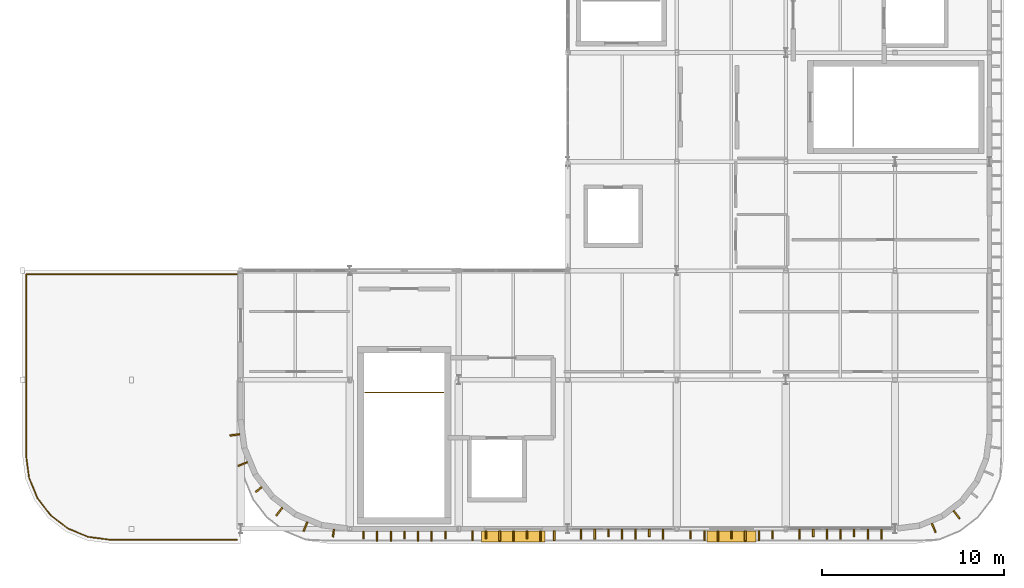
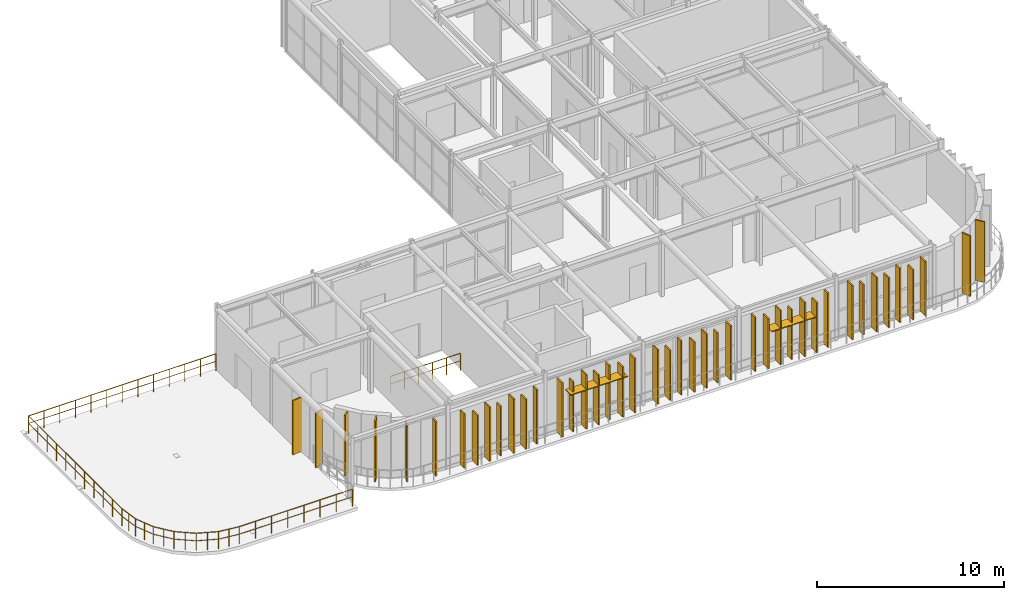
# One storey, part 12 of 14: 43 coverings, 10 railings, 2 shading devices.
"""IFC4 building model written with IfcOpenShell, lengths in metres."""

from ifc_helpers import new_model, si_unit, direction, frame, origin, origin_2d, place, context, subcontext, project, spatial, rectangle, circle, extrude, material, layer, layer_set, type_object, element, save


model = new_model("IFC4")

# Units and contexts
model_context = context("Model", 3, precision=1e-05, world=origin(), true_north=direction((0.0, 1.0)))
body_context = subcontext(model_context, "Body", "Model", "MODEL_VIEW")
ifc_project = project(units=[si_unit("LENGTHUNIT", "METRE"), si_unit("AREAUNIT", "SQUARE_METRE"), si_unit("VOLUMEUNIT", "CUBIC_METRE"), si_unit("PLANEANGLEUNIT", "RADIAN"), si_unit("MASSUNIT", "GRAM", prefix="KILO")], contexts=[model_context])

# Site, building, storey
site_placement = place(None, origin())
site = spatial("IfcSite", under=ifc_project, at=site_placement, CompositionType="ELEMENT")
building_placement = place(site_placement, origin())
building = spatial("IfcBuilding", under=site, at=building_placement, Name="Varnakota Square Police Headquarters", CompositionType="ELEMENT")
storey_placement = place(building_placement, frame((0.0, 0.0, 30.0)))
storey = spatial("IfcBuildingStorey", under=building, at=storey_placement, Name="L07", CompositionType="ELEMENT", Elevation=30.0)

# Coverings
ifc_material_1 = material(Name="White Anodised Aluminium Vertical Facade Blade 420", Category="aluminium")
ifc_layer_1 = layer(ifc_material_1, 0.0849609375, Name="White Anodised Aluminium Vertical Facade Blade 420")
ifc_layer_set_1 = layer_set([ifc_layer_1], Name="White Anodised Aluminium Vertical Facade Blade 420")
covering_type_1 = type_object("IfcCoveringType", Name="COV-FIN-420", PredefinedType="CLADDING", material=ifc_layer_set_1)
covering_1_placement = place(storey_placement, frame((126.762451171875, 0.455078125, 0.0400390625), z_axis=(0.0, 0.0, 1.0), x_axis=(1.0, 0.0, 0.0)))
element("IfcCovering", 1, at=covering_1_placement, inside=storey, type_object=covering_type_1, Name="Vertical aluminium facade fin FIN-0817", PredefinedType="CLADDING", context=body_context, shape_type="SweptSolid", body=[
    extrude(rectangle(XDim=0.0849609375, YDim=0.419921875, at=origin_2d()), origin(), (0.0, 0.0, 1.0), 3.543701171875),
])
covering_2_placement = place(storey_placement, frame((129.012451171875, 0.455078125, 0.0400390625), z_axis=(0.0, 0.0, 1.0), x_axis=(1.0, 0.0, 0.0)))
element("IfcCovering", 2, at=covering_2_placement, inside=storey, type_object=covering_type_1, Name="Vertical aluminium facade fin FIN-0820", PredefinedType="CLADDING", context=body_context, shape_type="SweptSolid", body=[
    extrude(rectangle(XDim=0.0849609375, YDim=0.419921875, at=origin_2d()), origin(), (0.0, 0.0, 1.0), 3.263671875),
])
covering_3_placement = place(storey_placement, frame((131.262451171875, 0.455078125, 0.0400390625), z_axis=(0.0, 0.0, 1.0), x_axis=(1.0, 0.0, 0.0)))
element("IfcCovering", 3, at=covering_3_placement, inside=storey, type_object=covering_type_1, Name="Vertical aluminium facade fin FIN-0823", PredefinedType="CLADDING", context=body_context, shape_type="SweptSolid", body=[
    extrude(rectangle(XDim=0.0849609375, YDim=0.419921875, at=origin_2d()), origin(), (0.0, 0.0, 1.0), 3.543701171875),
])
covering_4_placement = place(storey_placement, frame((133.5048828125, 0.47509765625, 0.0400390625), z_axis=(0.0, 0.0, 1.0), x_axis=(1.0, 0.0, 0.0)))
element("IfcCovering", 4, at=covering_4_placement, inside=storey, type_object=covering_type_1, Name="Vertical aluminium facade fin FIN-0825", PredefinedType="CLADDING", context=body_context, shape_type="SweptSolid", body=[
    extrude(rectangle(XDim=0.0849609375, YDim=0.419921875, at=origin_2d()), origin(), (0.0, 0.0, 1.0), 3.263671875),
])
for number, where, z_axis, x_axis, name in (
    (5, (135.7548828125, 0.47509765625, 0.0400390625), (0.0, 0.0, 1.0), (1.0, 0.0, 0.0), "Vertical aluminium facade fin FIN-0828"),
    (6, (140.232421875, 0.5625, 0.0400390625), (0.0, 0.0, 1.0), (1.0, 0.0, 0.0), "Vertical aluminium facade fin FIN-0833"),
):
    element("IfcCovering", number, at=place(storey_placement, frame(where, z_axis=z_axis, x_axis=x_axis)), inside=storey, type_object=covering_type_1, Name=name, PredefinedType="CLADDING", context=body_context, shape_type="SweptSolid", body=[
        extrude(rectangle(XDim=0.0849609375, YDim=0.419921875, at=origin_2d()), origin(), (0.0, 0.0, 1.0), 3.543701171875),
    ])
covering_5_placement = place(storey_placement, frame((142.482421875, 0.5625, 0.0400390625), z_axis=(0.0, 0.0, 1.0), x_axis=(1.0, 0.0, 0.0)))
element("IfcCovering", 7, at=covering_5_placement, inside=storey, type_object=covering_type_1, Name="Vertical aluminium facade fin FIN-0836", PredefinedType="CLADDING", context=body_context, shape_type="SweptSolid", body=[
    extrude(rectangle(XDim=0.0849609375, YDim=0.419921875, at=origin_2d()), origin(), (0.0, 0.0, 1.0), 3.263671875),
])
covering_6_placement = place(storey_placement, frame((144.762451171875, 0.47509765625, 0.0400390625), z_axis=(0.0, 0.0, 1.0), x_axis=(1.0, 0.0, 0.0)))
element("IfcCovering", 8, at=covering_6_placement, inside=storey, type_object=covering_type_1, Name="Vertical aluminium facade fin FIN-0838", PredefinedType="CLADDING", context=body_context, shape_type="SweptSolid", body=[
    extrude(rectangle(XDim=0.0849609375, YDim=0.419921875, at=origin_2d()), origin(), (0.0, 0.0, 1.0), 3.543701171875),
])
covering_7_placement = place(storey_placement, frame((147.012451171875, 0.47509765625, 0.0400390625), z_axis=(0.0, 0.0, 1.0), x_axis=(1.0, 0.0, 0.0)))
element("IfcCovering", 9, at=covering_7_placement, inside=storey, type_object=covering_type_1, Name="Vertical aluminium facade fin FIN-0841", PredefinedType="CLADDING", context=body_context, shape_type="SweptSolid", body=[
    extrude(rectangle(XDim=0.0849609375, YDim=0.419921875, at=origin_2d()), origin(), (0.0, 0.0, 1.0), 3.263671875),
])
covering_8_placement = place(storey_placement, frame((149.262451171875, 0.47509765625, 0.0400390625), z_axis=(0.0, 0.0, 1.0), x_axis=(1.0, 0.0, 0.0)))
element("IfcCovering", 10, at=covering_8_placement, inside=storey, type_object=covering_type_1, Name="Vertical aluminium facade fin FIN-0844", PredefinedType="CLADDING", context=body_context, shape_type="SweptSolid", body=[
    extrude(rectangle(XDim=0.0849609375, YDim=0.419921875, at=origin_2d()), origin(), (0.0, 0.0, 1.0), 3.543701171875),
])
covering_9_placement = place(storey_placement, frame((151.5048828125, 0.5625, 0.0400390625), z_axis=(0.0, 0.0, 1.0), x_axis=(1.0, 0.0, 0.0)))
element("IfcCovering", 11, at=covering_9_placement, inside=storey, type_object=covering_type_1, Name="Vertical aluminium facade fin FIN-0846", PredefinedType="CLADDING", context=body_context, shape_type="SweptSolid", body=[
    extrude(rectangle(XDim=0.0849609375, YDim=0.419921875, at=origin_2d()), origin(), (0.0, 0.0, 1.0), 3.263671875),
])
covering_10_placement = place(storey_placement, frame((153.7548828125, 0.5625, 0.0400390625), z_axis=(0.0, 0.0, 1.0), x_axis=(1.0, 0.0, 0.0)))
element("IfcCovering", 12, at=covering_10_placement, inside=storey, type_object=covering_type_1, Name="Vertical aluminium facade fin FIN-0849", PredefinedType="CLADDING", context=body_context, shape_type="SweptSolid", body=[
    extrude(rectangle(XDim=0.0849609375, YDim=0.419921875, at=origin_2d()), origin(), (0.0, 0.0, 1.0), 3.543701171875),
])
covering_11_placement = place(storey_placement, frame((120.9990234375, 2.962646484375, 0.0400390625), z_axis=(0.0, 0.0, 1.0), x_axis=(0.608761429009, -0.793353340291, 0.0)))
element("IfcCovering", 13, at=covering_11_placement, inside=storey, type_object=covering_type_1, Name="Vertical aluminium facade fin FIN-0886", PredefinedType="CLADDING", context=body_context, shape_type="SweptSolid", body=[
    extrude(rectangle(XDim=0.0849609375, YDim=0.419921875, at=origin_2d()), origin(), (0.0, 0.0, 1.0), 3.955078125),
])
covering_12_placement = place(storey_placement, frame((125.105712890625, 0.5595703125, 0.0400390625), z_axis=(0.0, 0.0, 1.0), x_axis=(0.991444861374, -0.13052619222, 0.0)))
element("IfcCovering", 14, at=covering_12_placement, inside=storey, type_object=covering_type_1, Name="Vertical aluminium facade fin FIN-0889", PredefinedType="CLADDING", context=body_context, shape_type="SweptSolid", body=[
    extrude(rectangle(XDim=0.0849609375, YDim=0.419921875, at=origin_2d()), origin(), (0.0, 0.0, 1.0), 3.543701171875),
])
ifc_material_2 = material(Name="White Anodised Aluminium Vertical Facade Blade 550", Category="aluminium")
ifc_layer_2 = layer(ifc_material_2, 0.0849609375, Name="White Anodised Aluminium Vertical Facade Blade 550")
ifc_layer_set_2 = layer_set([ifc_layer_2], Name="White Anodised Aluminium Vertical Facade Blade 550")
covering_type_2 = type_object("IfcCoveringType", Name="COV-FIN-550", PredefinedType="CLADDING", material=ifc_layer_set_2)
covering_13_placement = place(storey_placement, frame((127.512451171875, 0.389892578125, 0.0400390625), z_axis=(0.0, 0.0, 1.0), x_axis=(1.0, 0.0, 0.0)))
element("IfcCovering", 15, at=covering_13_placement, inside=storey, type_object=covering_type_2, Name="Vertical aluminium facade fin FIN-0818", PredefinedType="CLADDING", context=body_context, shape_type="SweptSolid", body=[
    extrude(rectangle(XDim=0.0849609375, YDim=0.550048828125, at=origin_2d()), origin(), (0.0, 0.0, 1.0), 3.263671875),
])
for number, where, z_axis, x_axis, name in (
    (16, (128.262451171875, 0.389892578125, 0.0400390625), (0.0, 0.0, 1.0), (1.0, 0.0, 0.0), "Vertical aluminium facade fin FIN-0819"),
    (17, (129.762451171875, 0.389892578125, 0.0400390625), (0.0, 0.0, 1.0), (1.0, 0.0, 0.0), "Vertical aluminium facade fin FIN-0821"),
):
    element("IfcCovering", number, at=place(storey_placement, frame(where, z_axis=z_axis, x_axis=x_axis)), inside=storey, type_object=covering_type_2, Name=name, PredefinedType="CLADDING", context=body_context, shape_type="SweptSolid", body=[
        extrude(rectangle(XDim=0.0849609375, YDim=0.550048828125, at=origin_2d()), origin(), (0.0, 0.0, 1.0), 3.543701171875),
    ])
covering_14_placement = place(storey_placement, frame((130.512451171875, 0.389892578125, 0.0400390625), z_axis=(0.0, 0.0, 1.0), x_axis=(1.0, 0.0, 0.0)))
element("IfcCovering", 18, at=covering_14_placement, inside=storey, type_object=covering_type_2, Name="Vertical aluminium facade fin FIN-0822", PredefinedType="CLADDING", context=body_context, shape_type="SweptSolid", body=[
    extrude(rectangle(XDim=0.0849609375, YDim=0.550048828125, at=origin_2d()), origin(), (0.0, 0.0, 1.0), 3.263671875),
])
for number, where, z_axis, x_axis, name in (
    (19, (132.7548828125, 0.409912109375, 0.0400390625), (0.0, 0.0, 1.0), (1.0, 0.0, 0.0), "Vertical aluminium facade fin FIN-0824"),
    (20, (134.2548828125, 0.409912109375, 0.0400390625), (0.0, 0.0, 1.0), (1.0, 0.0, 0.0), "Vertical aluminium facade fin FIN-0826"),
):
    element("IfcCovering", number, at=place(storey_placement, frame(where, z_axis=z_axis, x_axis=x_axis)), inside=storey, type_object=covering_type_2, Name=name, PredefinedType="CLADDING", context=body_context, shape_type="SweptSolid", body=[
        extrude(rectangle(XDim=0.0849609375, YDim=0.550048828125, at=origin_2d()), origin(), (0.0, 0.0, 1.0), 3.543701171875),
    ])
for number, where, z_axis, x_axis, name in (
    (21, (135.0048828125, 0.409912109375, 0.0400390625), (0.0, 0.0, 1.0), (1.0, 0.0, 0.0), "Vertical aluminium facade fin FIN-0827"),
    (22, (136.5048828125, 0.409912109375, 0.0400390625), (0.0, 0.0, 1.0), (1.0, 0.0, 0.0), "Vertical aluminium facade fin FIN-0829"),
):
    element("IfcCovering", number, at=place(storey_placement, frame(where, z_axis=z_axis, x_axis=x_axis)), inside=storey, type_object=covering_type_2, Name=name, PredefinedType="CLADDING", context=body_context, shape_type="SweptSolid", body=[
        extrude(rectangle(XDim=0.0849609375, YDim=0.550048828125, at=origin_2d()), origin(), (0.0, 0.0, 1.0), 3.263671875),
    ])
for number, where, z_axis, x_axis, name in (
    (23, (137.2548828125, 0.409912109375, 0.0400390625), (0.0, 0.0, 1.0), (1.0, 0.0, 0.0), "Vertical aluminium facade fin FIN-0830"),
    (24, (138.732421875, 0.49755859375, 0.0400390625), (0.0, 0.0, 1.0), (1.0, 0.0, 0.0), "Vertical aluminium facade fin FIN-0831"),
):
    element("IfcCovering", number, at=place(storey_placement, frame(where, z_axis=z_axis, x_axis=x_axis)), inside=storey, type_object=covering_type_2, Name=name, PredefinedType="CLADDING", context=body_context, shape_type="SweptSolid", body=[
        extrude(rectangle(XDim=0.0849609375, YDim=0.550048828125, at=origin_2d()), origin(), (0.0, 0.0, 1.0), 3.543701171875),
    ])
for number, where, z_axis, x_axis, name in (
    (25, (139.482421875, 0.49755859375, 0.0400390625), (0.0, 0.0, 1.0), (1.0, 0.0, 0.0), "Vertical aluminium facade fin FIN-0832"),
    (26, (140.982421875, 0.49755859375, 0.0400390625), (0.0, 0.0, 1.0), (1.0, 0.0, 0.0), "Vertical aluminium facade fin FIN-0834"),
):
    element("IfcCovering", number, at=place(storey_placement, frame(where, z_axis=z_axis, x_axis=x_axis)), inside=storey, type_object=covering_type_2, Name=name, PredefinedType="CLADDING", context=body_context, shape_type="SweptSolid", body=[
        extrude(rectangle(XDim=0.0849609375, YDim=0.550048828125, at=origin_2d()), origin(), (0.0, 0.0, 1.0), 3.263671875),
    ])
for number, where, z_axis, x_axis, name in (
    (27, (141.732421875, 0.49755859375, 0.0400390625), (0.0, 0.0, 1.0), (1.0, 0.0, 0.0), "Vertical aluminium facade fin FIN-0835"),
    (28, (143.232421875, 0.49755859375, 0.0400390625), (0.0, 0.0, 1.0), (1.0, 0.0, 0.0), "Vertical aluminium facade fin FIN-0837"),
):
    element("IfcCovering", number, at=place(storey_placement, frame(where, z_axis=z_axis, x_axis=x_axis)), inside=storey, type_object=covering_type_2, Name=name, PredefinedType="CLADDING", context=body_context, shape_type="SweptSolid", body=[
        extrude(rectangle(XDim=0.0849609375, YDim=0.550048828125, at=origin_2d()), origin(), (0.0, 0.0, 1.0), 3.543701171875),
    ])
covering_15_placement = place(storey_placement, frame((145.512451171875, 0.409912109375, 0.0400390625), z_axis=(0.0, 0.0, 1.0), x_axis=(1.0, 0.0, 0.0)))
element("IfcCovering", 29, at=covering_15_placement, inside=storey, type_object=covering_type_2, Name="Vertical aluminium facade fin FIN-0839", PredefinedType="CLADDING", context=body_context, shape_type="SweptSolid", body=[
    extrude(rectangle(XDim=0.0849609375, YDim=0.550048828125, at=origin_2d()), origin(), (0.0, 0.0, 1.0), 3.263671875),
])
for number, where, z_axis, x_axis, name in (
    (30, (146.262451171875, 0.409912109375, 0.0400390625), (0.0, 0.0, 1.0), (1.0, 0.0, 0.0), "Vertical aluminium facade fin FIN-0840"),
    (31, (147.762451171875, 0.409912109375, 0.0400390625), (0.0, 0.0, 1.0), (1.0, 0.0, 0.0), "Vertical aluminium facade fin FIN-0842"),
):
    element("IfcCovering", number, at=place(storey_placement, frame(where, z_axis=z_axis, x_axis=x_axis)), inside=storey, type_object=covering_type_2, Name=name, PredefinedType="CLADDING", context=body_context, shape_type="SweptSolid", body=[
        extrude(rectangle(XDim=0.0849609375, YDim=0.550048828125, at=origin_2d()), origin(), (0.0, 0.0, 1.0), 3.543701171875),
    ])
covering_16_placement = place(storey_placement, frame((148.512451171875, 0.409912109375, 0.0400390625), z_axis=(0.0, 0.0, 1.0), x_axis=(1.0, 0.0, 0.0)))
element("IfcCovering", 32, at=covering_16_placement, inside=storey, type_object=covering_type_2, Name="Vertical aluminium facade fin FIN-0843", PredefinedType="CLADDING", context=body_context, shape_type="SweptSolid", body=[
    extrude(rectangle(XDim=0.0849609375, YDim=0.550048828125, at=origin_2d()), origin(), (0.0, 0.0, 1.0), 3.263671875),
])
for number, where, z_axis, x_axis, name in (
    (33, (150.7548828125, 0.49755859375, 0.0400390625), (0.0, 0.0, 1.0), (1.0, 0.0, 0.0), "Vertical aluminium facade fin FIN-0845"),
    (34, (152.2548828125, 0.49755859375, 0.0400390625), (0.0, 0.0, 1.0), (1.0, 0.0, 0.0), "Vertical aluminium facade fin FIN-0847"),
):
    element("IfcCovering", number, at=place(storey_placement, frame(where, z_axis=z_axis, x_axis=x_axis)), inside=storey, type_object=covering_type_2, Name=name, PredefinedType="CLADDING", context=body_context, shape_type="SweptSolid", body=[
        extrude(rectangle(XDim=0.0849609375, YDim=0.550048828125, at=origin_2d()), origin(), (0.0, 0.0, 1.0), 3.543701171875),
    ])
for number, where, z_axis, x_axis, name in (
    (35, (153.0048828125, 0.49755859375, 0.0400390625), (0.0, 0.0, 1.0), (1.0, 0.0, 0.0), "Vertical aluminium facade fin FIN-0848"),
    (36, (154.5048828125, 0.49755859375, 0.0400390625), (0.0, 0.0, 1.0), (1.0, 0.0, 0.0), "Vertical aluminium facade fin FIN-0850"),
):
    element("IfcCovering", number, at=place(storey_placement, frame(where, z_axis=z_axis, x_axis=x_axis)), inside=storey, type_object=covering_type_2, Name=name, PredefinedType="CLADDING", context=body_context, shape_type="SweptSolid", body=[
        extrude(rectangle(XDim=0.0849609375, YDim=0.550048828125, at=origin_2d()), origin(), (0.0, 0.0, 1.0), 3.263671875),
    ])
for number, where, z_axis, x_axis, name in (
    (37, (155.2548828125, 0.49755859375, 0.0400390625), (0.0, 0.0, 1.0), (1.0, 0.0, 0.0), "Vertical aluminium facade fin FIN-0851"),
    (38, (119.685791015625, 5.96875, 0.0400390625), (0.0, 0.0, 1.0), (0.13052619222, -0.991444861374, 0.0), "Vertical aluminium facade fin FIN-0884"),
    (39, (120.1162109375, 4.36279296875, 0.0400390625), (0.0, 0.0, 1.0), (0.382683432365, -0.923879532511, 0.0), "Vertical aluminium facade fin FIN-0885"),
):
    element("IfcCovering", number, at=place(storey_placement, frame(where, z_axis=z_axis, x_axis=x_axis)), inside=storey, type_object=covering_type_2, Name=name, PredefinedType="CLADDING", context=body_context, shape_type="SweptSolid", body=[
        extrude(rectangle(XDim=0.0849609375, YDim=0.550048828125, at=origin_2d()), origin(), (0.0, 0.0, 1.0), 3.543701171875),
    ])
covering_17_placement = place(storey_placement, frame((122.123046875, 1.747314453125, 0.0400390625), z_axis=(0.0, 0.0, 1.0), x_axis=(0.793353340291, -0.608761429009, 0.0)))
element("IfcCovering", 40, at=covering_17_placement, inside=storey, type_object=covering_type_2, Name="Vertical aluminium facade fin FIN-0887", PredefinedType="CLADDING", context=body_context, shape_type="SweptSolid", body=[
    extrude(rectangle(XDim=0.0849609375, YDim=0.550048828125, at=origin_2d()), origin(), (0.0, 0.0, 1.0), 3.955078125),
])
covering_18_placement = place(storey_placement, frame((123.562744140625, 0.916015625, 0.0400390625), z_axis=(0.0, 0.0, 1.0), x_axis=(0.923879532511, -0.382683432365, 0.0)))
element("IfcCovering", 41, at=covering_18_placement, inside=storey, type_object=covering_type_2, Name="Vertical aluminium facade fin FIN-0888", PredefinedType="CLADDING", context=body_context, shape_type="SweptSolid", body=[
    extrude(rectangle(XDim=0.0849609375, YDim=0.550048828125, at=origin_2d()), origin(), (0.0, 0.0, 1.0), 3.64990234375),
])
for number, where, z_axis, x_axis, name in (
    (42, (158.1337890625, 0.848876953125, 0.0400390625), (0.0, 0.0, 1.0), (0.923879532511, 0.382683432365, 0.0), "Vertical aluminium facade fin FIN-0890"),
    (43, (159.394287109375, 1.57666015625, 0.0400390625), (0.0, 0.0, 1.0), (0.793353340291, 0.608761429009, 0.0), "Vertical aluminium facade fin FIN-0891"),
):
    element("IfcCovering", number, at=place(storey_placement, frame(where, z_axis=z_axis, x_axis=x_axis)), inside=storey, type_object=covering_type_2, Name=name, PredefinedType="CLADDING", context=body_context, shape_type="SweptSolid", body=[
        extrude(rectangle(XDim=0.0849609375, YDim=0.550048828125, at=origin_2d()), origin(), (0.0, 0.0, 1.0), 3.955078125),
    ])

# Railings
ifc_material_3 = material(Name="Galvanised Powder-Coated Steel Guardrail", Category="steel")
railing_type_1 = type_object("IfcRailingType", Name="RL-BAL-1150", PredefinedType="BALUSTRADE", material=ifc_material_3)
railing_1_placement = place(storey_placement, frame((108.199951171875, 4.800048828125, 0.0)))
element("IfcRailing", 44, at=railing_1_placement, inside=storey, type_object=railing_type_1, Name="Executive terrace balustrade GD-L07-014", PredefinedType="BALUSTRADE", context=body_context, shape_type="SweptSolid", body=[
    extrude(circle(Radius=0.02392578125, at=origin_2d()), frame((0.0, 0.0, 1.1259765625), z_axis=(0.130512358051, -0.991446682579, 0.0), x_axis=(0.991446682579, 0.130512358051, 0.0)), (0.0, 0.0, 1.0), 1.200927734375),
    extrude(circle(Radius=0.01806640625, at=origin_2d()), frame((0.0, 0.0, 0.63232421875), z_axis=(0.130512358051, -0.991446682579, 0.0), x_axis=(0.991446682579, 0.130512358051, 0.0)), (0.0, 0.0, 1.0), 1.200927734375),
    extrude(circle(Radius=0.02099609375, at=origin_2d()), origin(), (0.0, 0.0, 1.0), 1.101806640625),
    extrude(circle(Radius=0.02099609375, at=origin_2d()), frame((0.078369140625, -0.59521484375, 0.0)), (0.0, 0.0, 1.0), 1.101806640625),
    extrude(circle(Radius=0.02099609375, at=origin_2d()), frame((0.15673828125, -1.190673828125, 0.0)), (0.0, 0.0, 1.0), 1.101806640625),
])
railing_2_placement = place(storey_placement, frame((108.356689453125, 3.609375, 0.0)))
element("IfcRailing", 45, at=railing_2_placement, inside=storey, type_object=railing_type_1, Name="Executive terrace balustrade GD-L07-015", PredefinedType="BALUSTRADE", context=body_context, shape_type="SweptSolid", body=[
    extrude(circle(Radius=0.02392578125, at=origin_2d()), frame((0.0, 0.0, 1.1259765625), z_axis=(0.382824608984, -0.923821042603, 0.0), x_axis=(0.923821042603, 0.382824608984, 0.0)), (0.0, 0.0, 1.0), 1.200927734375),
    extrude(circle(Radius=0.01806640625, at=origin_2d()), frame((0.0, 0.0, 0.63232421875), z_axis=(0.382824608984, -0.923821042603, 0.0), x_axis=(0.923821042603, 0.382824608984, 0.0)), (0.0, 0.0, 1.0), 1.200927734375),
    extrude(circle(Radius=0.02099609375, at=origin_2d()), origin(), (0.0, 0.0, 1.0), 1.101806640625),
    extrude(circle(Radius=0.02099609375, at=origin_2d()), frame((0.22998046875, -0.5546875, 0.0)), (0.0, 0.0, 1.0), 1.101806640625),
    extrude(circle(Radius=0.02099609375, at=origin_2d()), frame((0.459716796875, -1.109375, 0.0)), (0.0, 0.0, 1.0), 1.101806640625),
])
railing_3_placement = place(storey_placement, frame((108.81640625, 2.5, 0.0)))
element("IfcRailing", 46, at=railing_3_placement, inside=storey, type_object=railing_type_1, Name="Executive terrace balustrade GD-L07-016", PredefinedType="BALUSTRADE", context=body_context, shape_type="SweptSolid", body=[
    extrude(circle(Radius=0.02392578125, at=origin_2d()), frame((0.0, 0.0, 1.1259765625), z_axis=(0.608747363764, -0.793364132735, 0.0), x_axis=(0.793364132735, 0.608747363764, 0.0)), (0.0, 0.0, 1.0), 1.20068359375),
    extrude(circle(Radius=0.01806640625, at=origin_2d()), frame((0.0, 0.0, 0.63232421875), z_axis=(0.608747363764, -0.793364132735, 0.0), x_axis=(0.793364132735, 0.608747363764, 0.0)), (0.0, 0.0, 1.0), 1.20068359375),
    extrude(circle(Radius=0.02099609375, at=origin_2d()), origin(), (0.0, 0.0, 1.0), 1.101806640625),
    extrude(circle(Radius=0.02099609375, at=origin_2d()), frame((0.365478515625, -0.476318359375, 0.0)), (0.0, 0.0, 1.0), 1.101806640625),
    extrude(circle(Radius=0.02099609375, at=origin_2d()), frame((0.73095703125, -0.95263671875, 0.0)), (0.0, 0.0, 1.0), 1.101806640625),
])
railing_4_placement = place(storey_placement, frame((109.54736328125, 1.54736328125, 0.0)))
element("IfcRailing", 47, at=railing_4_placement, inside=storey, type_object=railing_type_1, Name="Executive terrace balustrade GD-L07-017", PredefinedType="BALUSTRADE", context=body_context, shape_type="SweptSolid", body=[
    extrude(circle(Radius=0.02392578125, at=origin_2d()), frame((0.0, 0.0, 1.1259765625), z_axis=(0.793364132735, -0.608747363764, 0.0), x_axis=(0.608747363764, 0.793364132735, 0.0)), (0.0, 0.0, 1.0), 1.20068359375),
    extrude(circle(Radius=0.01806640625, at=origin_2d()), frame((0.0, 0.0, 0.63232421875), z_axis=(0.793364132735, -0.608747363764, 0.0), x_axis=(0.608747363764, 0.793364132735, 0.0)), (0.0, 0.0, 1.0), 1.20068359375),
    extrude(circle(Radius=0.02099609375, at=origin_2d()), origin(), (0.0, 0.0, 1.0), 1.101806640625),
    extrude(circle(Radius=0.02099609375, at=origin_2d()), frame((0.476318359375, -0.365478515625, 0.0)), (0.0, 0.0, 1.0), 1.101806640625),
    extrude(circle(Radius=0.02099609375, at=origin_2d()), frame((0.95263671875, -0.73095703125, 0.0)), (0.0, 0.0, 1.0), 1.101806640625),
])
railing_5_placement = place(storey_placement, frame((110.5, 0.81640625, 0.0)))
element("IfcRailing", 48, at=railing_5_placement, inside=storey, type_object=railing_type_1, Name="Executive terrace balustrade GD-L07-018", PredefinedType="BALUSTRADE", context=body_context, shape_type="SweptSolid", body=[
    extrude(circle(Radius=0.02392578125, at=origin_2d()), frame((0.0, 0.0, 1.1259765625), z_axis=(0.923821042603, -0.382824608984, 0.0), x_axis=(0.382824608984, 0.923821042603, 0.0)), (0.0, 0.0, 1.0), 1.200927734375),
    extrude(circle(Radius=0.01806640625, at=origin_2d()), frame((0.0, 0.0, 0.63232421875), z_axis=(0.923821042603, -0.382824608984, 0.0), x_axis=(0.382824608984, 0.923821042603, 0.0)), (0.0, 0.0, 1.0), 1.200927734375),
    extrude(circle(Radius=0.02099609375, at=origin_2d()), origin(), (0.0, 0.0, 1.0), 1.101806640625),
    extrude(circle(Radius=0.02099609375, at=origin_2d()), frame((0.5546875, -0.22998046875, 0.0)), (0.0, 0.0, 1.0), 1.101806640625),
    extrude(circle(Radius=0.02099609375, at=origin_2d()), frame((1.109375, -0.459716796875, 0.0)), (0.0, 0.0, 1.0), 1.101806640625),
])
railing_6_placement = place(storey_placement, frame((111.609375, 0.356689453125, 0.0)))
element("IfcRailing", 49, at=railing_6_placement, inside=storey, type_object=railing_type_1, Name="Executive terrace balustrade GD-L07-019", PredefinedType="BALUSTRADE", context=body_context, shape_type="SweptSolid", body=[
    extrude(circle(Radius=0.02392578125, at=origin_2d()), frame((0.0, 0.0, 1.1259765625), z_axis=(0.991446682579, -0.130512358051, 0.0), x_axis=(0.130512358051, 0.991446682579, 0.0)), (0.0, 0.0, 1.0), 1.200927734375),
    extrude(circle(Radius=0.01806640625, at=origin_2d()), frame((0.0, 0.0, 0.63232421875), z_axis=(0.991446682579, -0.130512358051, 0.0), x_axis=(0.130512358051, 0.991446682579, 0.0)), (0.0, 0.0, 1.0), 1.200927734375),
    extrude(circle(Radius=0.02099609375, at=origin_2d()), origin(), (0.0, 0.0, 1.0), 1.101806640625),
    extrude(circle(Radius=0.02099609375, at=origin_2d()), frame((0.59521484375, -0.078369140625, 0.0)), (0.0, 0.0, 1.0), 1.101806640625),
    extrude(circle(Radius=0.02099609375, at=origin_2d()), frame((1.190673828125, -0.15673828125, 0.0)), (0.0, 0.0, 1.0), 1.101806640625),
])
railing_7_placement = place(storey_placement, frame((112.800048828125, 0.199951171875, 0.0)))
element("IfcRailing", 50, at=railing_7_placement, inside=storey, type_object=railing_type_1, Name="Executive terrace balustrade GD-L07-020", PredefinedType="BALUSTRADE", context=body_context, shape_type="SweptSolid", body=[
    extrude(circle(Radius=0.02392578125, at=origin_2d()), frame((0.0, 0.0, 1.1259765625), z_axis=(1.0, 0.0, 0.0), x_axis=(0.0, 1.0, 0.0)), (0.0, 0.0, 1.0), 7.0),
    extrude(circle(Radius=0.01806640625, at=origin_2d()), frame((0.0, 0.0, 0.63232421875), z_axis=(1.0, 0.0, 0.0), x_axis=(0.0, 1.0, 0.0)), (0.0, 0.0, 1.0), 7.0),
    extrude(circle(Radius=0.02099609375, at=origin_2d()), origin(), (0.0, 0.0, 1.0), 1.101806640625),
    extrude(circle(Radius=0.02099609375, at=origin_2d()), frame((1.0, 0.0, 0.0)), (0.0, 0.0, 1.0), 1.101806640625),
    extrude(circle(Radius=0.02099609375, at=origin_2d()), frame((2.0, 0.0, 0.0)), (0.0, 0.0, 1.0), 1.101806640625),
    extrude(circle(Radius=0.02099609375, at=origin_2d()), frame((3.0, 0.0, 0.0)), (0.0, 0.0, 1.0), 1.101806640625),
    extrude(circle(Radius=0.02099609375, at=origin_2d()), frame((4.0, 0.0, 0.0)), (0.0, 0.0, 1.0), 1.101806640625),
    extrude(circle(Radius=0.02099609375, at=origin_2d()), frame((5.0, 0.0, 0.0)), (0.0, 0.0, 1.0), 1.101806640625),
    extrude(circle(Radius=0.02099609375, at=origin_2d()), frame((6.0, 0.0, 0.0)), (0.0, 0.0, 1.0), 1.101806640625),
    extrude(circle(Radius=0.02099609375, at=origin_2d()), frame((7.0, 0.0, 0.0)), (0.0, 0.0, 1.0), 1.101806640625),
])
railing_8_placement = place(storey_placement, frame((119.800048828125, 14.800048828125, 0.0)))
element("IfcRailing", 51, at=railing_8_placement, inside=storey, type_object=railing_type_1, Name="Executive terrace balustrade GD-L07-021", PredefinedType="BALUSTRADE", context=body_context, shape_type="SweptSolid", body=[
    extrude(circle(Radius=0.02392578125, at=origin_2d()), frame((0.0, 0.0, 1.1259765625), z_axis=(-1.0, 0.0, 0.0), x_axis=(0.0, -1.0, 0.0)), (0.0, 0.0, 1.0), 11.60009765625),
    extrude(circle(Radius=0.01806640625, at=origin_2d()), frame((0.0, 0.0, 0.63232421875), z_axis=(-1.0, 0.0, 0.0), x_axis=(0.0, -1.0, 0.0)), (0.0, 0.0, 1.0), 11.60009765625),
    extrude(circle(Radius=0.02099609375, at=origin_2d()), origin(), (0.0, 0.0, 1.0), 1.101806640625),
    extrude(circle(Radius=0.02099609375, at=origin_2d()), frame((-0.966796875, 0.0, 0.0)), (0.0, 0.0, 1.0), 1.101806640625),
    extrude(circle(Radius=0.02099609375, at=origin_2d()), frame((-1.933349609375, 0.0, 0.0)), (0.0, 0.0, 1.0), 1.101806640625),
    extrude(circle(Radius=0.02099609375, at=origin_2d()), frame((-2.89990234375, 0.0, 0.0)), (0.0, 0.0, 1.0), 1.101806640625),
    extrude(circle(Radius=0.02099609375, at=origin_2d()), frame((-3.86669921875, 0.0, 0.0)), (0.0, 0.0, 1.0), 1.101806640625),
    extrude(circle(Radius=0.02099609375, at=origin_2d()), frame((-4.83349609375, 0.0, 0.0)), (0.0, 0.0, 1.0), 1.101806640625),
    extrude(circle(Radius=0.02099609375, at=origin_2d()), frame((-5.800048828125, 0.0, 0.0)), (0.0, 0.0, 1.0), 1.101806640625),
    extrude(circle(Radius=0.02099609375, at=origin_2d()), frame((-6.7666015625, 0.0, 0.0)), (0.0, 0.0, 1.0), 1.101806640625),
    extrude(circle(Radius=0.02099609375, at=origin_2d()), frame((-7.7333984375, 0.0, 0.0)), (0.0, 0.0, 1.0), 1.101806640625),
    extrude(circle(Radius=0.02099609375, at=origin_2d()), frame((-8.7001953125, 0.0, 0.0)), (0.0, 0.0, 1.0), 1.101806640625),
    extrude(circle(Radius=0.02099609375, at=origin_2d()), frame((-9.666748046875, 0.0, 0.0)), (0.0, 0.0, 1.0), 1.101806640625),
    extrude(circle(Radius=0.02099609375, at=origin_2d()), frame((-10.63330078125, 0.0, 0.0)), (0.0, 0.0, 1.0), 1.101806640625),
    extrude(circle(Radius=0.02099609375, at=origin_2d()), frame((-11.60009765625, 0.0, 0.0)), (0.0, 0.0, 1.0), 1.101806640625),
])
railing_9_placement = place(storey_placement, frame((108.199951171875, 14.800048828125, 0.0)))
element("IfcRailing", 52, at=railing_9_placement, inside=storey, type_object=railing_type_1, Name="Executive terrace balustrade GD-L07-022", PredefinedType="BALUSTRADE", context=body_context, shape_type="SweptSolid", body=[
    extrude(circle(Radius=0.02392578125, at=origin_2d()), frame((0.0, 0.0, 1.1259765625), z_axis=(0.0, -1.0, 0.0), x_axis=(1.0, 0.0, 0.0)), (0.0, 0.0, 1.0), 10.0),
    extrude(circle(Radius=0.01806640625, at=origin_2d()), frame((0.0, 0.0, 0.63232421875), z_axis=(0.0, -1.0, 0.0), x_axis=(1.0, 0.0, 0.0)), (0.0, 0.0, 1.0), 10.0),
    extrude(circle(Radius=0.02099609375, at=origin_2d()), origin(), (0.0, 0.0, 1.0), 1.101806640625),
    extrude(circle(Radius=0.02099609375, at=origin_2d()), frame((0.0, -1.0, 0.0)), (0.0, 0.0, 1.0), 1.101806640625),
    extrude(circle(Radius=0.02099609375, at=origin_2d()), frame((0.0, -2.0, 0.0)), (0.0, 0.0, 1.0), 1.101806640625),
    extrude(circle(Radius=0.02099609375, at=origin_2d()), frame((0.0, -3.0, 0.0)), (0.0, 0.0, 1.0), 1.101806640625),
    extrude(circle(Radius=0.02099609375, at=origin_2d()), frame((0.0, -4.0, 0.0)), (0.0, 0.0, 1.0), 1.101806640625),
    extrude(circle(Radius=0.02099609375, at=origin_2d()), frame((0.0, -5.0, 0.0)), (0.0, 0.0, 1.0), 1.101806640625),
    extrude(circle(Radius=0.02099609375, at=origin_2d()), frame((0.0, -6.0, 0.0)), (0.0, 0.0, 1.0), 1.101806640625),
    extrude(circle(Radius=0.02099609375, at=origin_2d()), frame((0.0, -7.0, 0.0)), (0.0, 0.0, 1.0), 1.101806640625),
    extrude(circle(Radius=0.02099609375, at=origin_2d()), frame((0.0, -8.0, 0.0)), (0.0, 0.0, 1.0), 1.101806640625),
    extrude(circle(Radius=0.02099609375, at=origin_2d()), frame((0.0, -9.0, 0.0)), (0.0, 0.0, 1.0), 1.101806640625),
    extrude(circle(Radius=0.02099609375, at=origin_2d()), frame((0.0, -10.0, 0.0)), (0.0, 0.0, 1.0), 1.101806640625),
])
ifc_material_4 = material(Name="Laminated Glass and Stainless Steel Balustrade", Category="steel")
railing_type_2 = type_object("IfcRailingType", Name="RL-INT-1150", PredefinedType="BALUSTRADE", material=ifc_material_4)
railing_10_placement = place(storey_placement, frame((126.840087890625, 8.300048828125, 0.0)))
element("IfcRailing", 53, at=railing_10_placement, inside=storey, type_object=railing_type_2, Name="Stair well safety guard C1 L07", PredefinedType="BALUSTRADE", context=body_context, shape_type="SweptSolid", body=[
    extrude(circle(Radius=0.02392578125, at=origin_2d()), frame((0.0, 0.0, 1.1259765625), z_axis=(1.0, 0.0, 0.0), x_axis=(0.0, 1.0, 0.0)), (0.0, 0.0, 1.0), 4.31982421875),
    extrude(circle(Radius=0.01806640625, at=origin_2d()), frame((0.0, 0.0, 0.63232421875), z_axis=(1.0, 0.0, 0.0), x_axis=(0.0, 1.0, 0.0)), (0.0, 0.0, 1.0), 4.31982421875),
    extrude(circle(Radius=0.02099609375, at=origin_2d()), origin(), (0.0, 0.0, 1.0), 1.101806640625),
    extrude(circle(Radius=0.02099609375, at=origin_2d()), frame((0.864013671875, 0.0, 0.0)), (0.0, 0.0, 1.0), 1.101806640625),
    extrude(circle(Radius=0.02099609375, at=origin_2d()), frame((1.72802734375, 0.0, 0.0)), (0.0, 0.0, 1.0), 1.101806640625),
    extrude(circle(Radius=0.02099609375, at=origin_2d()), frame((2.591796875, 0.0, 0.0)), (0.0, 0.0, 1.0), 1.101806640625),
    extrude(circle(Radius=0.02099609375, at=origin_2d()), frame((3.455810546875, 0.0, 0.0)), (0.0, 0.0, 1.0), 1.101806640625),
    extrude(circle(Radius=0.02099609375, at=origin_2d()), frame((4.31982421875, 0.0, 0.0)), (0.0, 0.0, 1.0), 1.101806640625),
])

# Shading devices
ifc_material_5 = material(Name="Anodised Aluminium Horizontal Brise-Soleil", Category="aluminium")
ifc_layer_3 = layer(ifc_material_5, 0.06005859375, Name="Anodised Aluminium Horizontal Brise-Soleil")
ifc_layer_set_3 = layer_set([ifc_layer_3], Name="Anodised Aluminium Horizontal Brise-Soleil")
shading_device_type = type_object("IfcShadingDeviceType", Name="SHD-JAL-600", PredefinedType="JALOUSIE", material=ifc_layer_set_3)
shading_device_1_placement = place(storey_placement, frame((135.0048828125, 0.382080078125, 2.599853515625), z_axis=(0.0, 0.0, 1.0), x_axis=(1.0, 0.0, 0.0)))
element("IfcShadingDevice", 54, at=shading_device_1_placement, inside=storey, type_object=shading_device_type, Name="Horizontal sunshade SHD-039", PredefinedType="JALOUSIE", context=body_context, shape_type="SweptSolid", body=[
    extrude(rectangle(XDim=3.5, YDim=0.60009765625, at=origin_2d()), origin(), (0.0, 0.0, 1.0), 0.06005859375),
])
shading_device_2_placement = place(storey_placement, frame((147.012451171875, 0.382080078125, 2.39990234375), z_axis=(0.0, 0.0, 1.0), x_axis=(1.0, 0.0, 0.0)))
element("IfcShadingDevice", 55, at=shading_device_2_placement, inside=storey, type_object=shading_device_type, Name="Horizontal sunshade SHD-040", PredefinedType="JALOUSIE", context=body_context, shape_type="SweptSolid", body=[
    extrude(rectangle(XDim=2.699951171875, YDim=0.60009765625, at=origin_2d()), origin(), (0.0, 0.0, 1.0), 0.06005859375),
])

save(model, "model.ifc")
